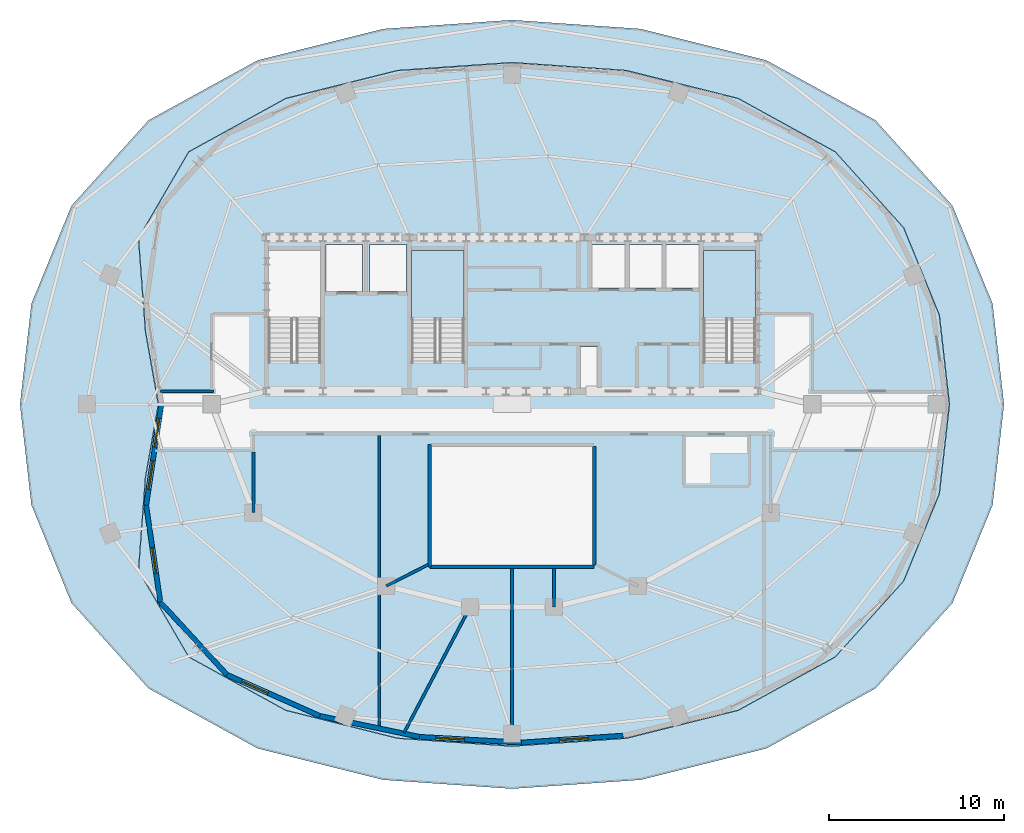
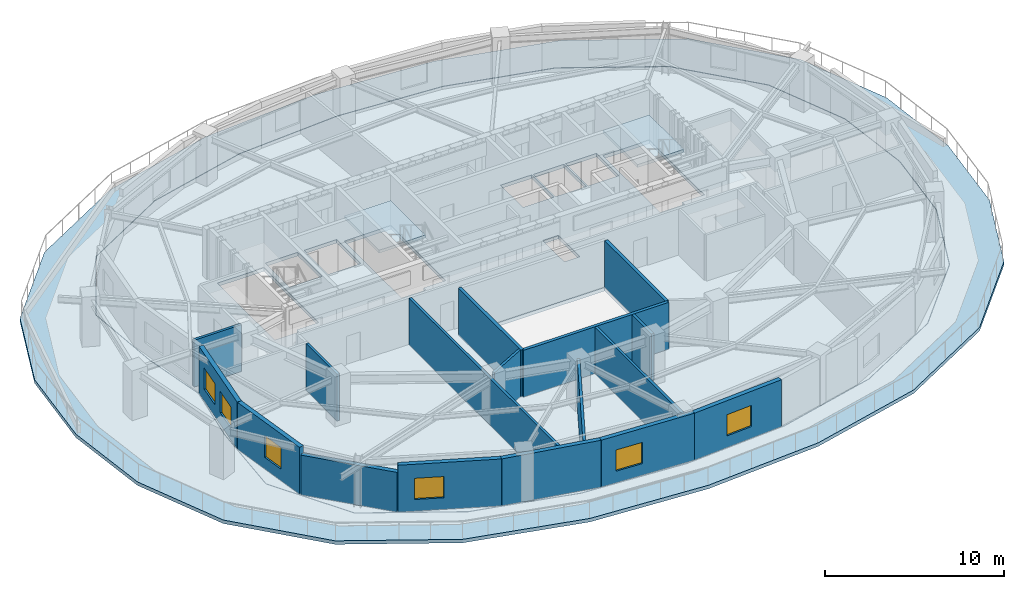
# One storey, part 3 of 10: 17 walls, 6 windows, 4 slabs, 6 openings, 2 elements without a shape of their own.
"""IFC4 building model written with IfcOpenShell, lengths in metres."""

from ifc_helpers import new_model, si_unit, direction, frame, frame_2d, origin, place, context, subcontext, project, spatial, polyline, rectangle, outline, extrude, material, layer, layer_set, type_object, element, fill, aggregate, save


model = new_model("IFC4")

# Units and contexts
model_context = context("Model", 3, precision=1e-05, world=origin(), true_north=direction((0.0, 1.0)))
body_context = subcontext(model_context, "Body", "Model", "MODEL_VIEW")
ifc_project = project(units=[si_unit("LENGTHUNIT", "METRE"), si_unit("AREAUNIT", "SQUARE_METRE"), si_unit("VOLUMEUNIT", "CUBIC_METRE"), si_unit("PLANEANGLEUNIT", "RADIAN"), si_unit("MASSUNIT", "GRAM", prefix="KILO")], contexts=[model_context])

# Site, building, storey
site_placement = place(None, origin())
site = spatial("IfcSite", under=ifc_project, at=site_placement, CompositionType="ELEMENT")
building_placement = place(site_placement, origin())
building = spatial("IfcBuilding", under=site, at=building_placement, Name="Haldorwick Loom Tower", CompositionType="ELEMENT")
storey_placement = place(building_placement, frame((0.0, 0.0, 240.89990234375)))
storey = spatial("IfcBuildingStorey", under=building, at=storey_placement, Name="L65", CompositionType="ELEMENT", Elevation=240.89990234375)

# Stair, slab
ifc_material_1 = material(Name="Concrete C40 (40 MPa)", Category="concrete")
stair_type = type_object("IfcStairType", Name="STR-STR-CORE", PredefinedType="HALF_TURN_STAIR", material=ifc_material_1)
stair_1_placement = place(storey_placement, origin())
stair_1 = element("IfcStair", 1, at=stair_1_placement, inside=storey, type_object=stair_type, Name="L65 Exit Stair ST-02", PredefinedType="HALF_TURN_STAIR")
ifc_layer_1 = layer(ifc_material_1, 0.199951171875, Name="Concrete C40 (40 MPa)", Category="concrete")
ifc_layer_set_1 = layer_set([ifc_layer_1], Name="Concrete C40 (40 MPa)")
slab_type_1 = type_object("IfcSlabType", Name="STR-SLB-LAND200", PredefinedType="LANDING", material=ifc_layer_set_1)
slab_1_placement = place(storey_placement, frame((0.0, 0.0, 1.525146484375)))
slab_1 = element("IfcSlab", 2, at=slab_1_placement, type_object=slab_type_1, Name="ST-02 landing 1", PredefinedType="LANDING", context=body_context, shape_type="SweptSolid", body=[
    extrude(outline(polyline([(49.949951171875, 30.919921875), (49.949951171875, 34.800048828125), (46.949951171875, 34.800048828125), (46.949951171875, 30.919921875), (49.949951171875, 30.919921875)])), origin(), (0.0, 0.0, 1.0), 0.199951171875),
])
aggregate(stair_1, [slab_1])

stair_2_placement = place(storey_placement, origin())
stair_2 = element("IfcStair", 3, at=stair_2_placement, inside=storey, type_object=stair_type, Name="L65 Exit Stair ST-03", PredefinedType="HALF_TURN_STAIR")
slab_2_placement = place(storey_placement, frame((0.0, 0.0, 1.525146484375)))
slab_2 = element("IfcSlab", 4, at=slab_2_placement, type_object=slab_type_1, Name="ST-03 landing 1", PredefinedType="LANDING", context=body_context, shape_type="SweptSolid", body=[
    extrude(outline(polyline([(33.25, 30.919921875), (33.25, 34.800048828125), (30.25, 34.800048828125), (30.25, 30.919921875), (33.25, 30.919921875)])), origin(), (0.0, 0.0, 1.0), 0.199951171875),
])
aggregate(stair_2, [slab_2])

# Slabs
ifc_layer_2 = layer(ifc_material_1, 0.239990234375, Name="Concrete C40 (40 MPa)", Category="concrete")
ifc_layer_set_2 = layer_set([ifc_layer_2], Name="Concrete C40 (40 MPa)")
slab_type_2 = type_object("IfcSlabType", Name="STR-SLB-RES240", PredefinedType="FLOOR", material=ifc_layer_set_2)
slab_3_placement = place(storey_placement, frame((0.0, 0.0, -0.239990234375)))
element("IfcSlab", 5, at=slab_3_placement, inside=storey, type_object=slab_type_2, Name="L65 Residential Structural Floor Slab", PredefinedType="FLOOR", context=body_context, shape_type="SweptSolid", body=[
    extrude(outline(polyline([(54.500244140625, 11.546630859375), (58.4140625, 15.889892578125), (60.455810546875, 20.880615234375), (61.036865234375, 26.0), (60.455810546875, 31.119384765625), (58.4140625, 36.110107421875), (54.500244140625, 40.453369140625), (48.94091796875, 43.510986328125), (42.552978515625, 45.10595703125), (36.0, 45.56005859375), (29.447021484375, 45.10595703125), (23.05908203125, 43.510986328125), (17.499755859375, 40.453369140625), (14.625, 35.510009765625), (15.021484375, 30.187744140625), (15.76318359375, 26.0), (15.021484375, 21.812255859375), (14.625, 16.489990234375), (17.499755859375, 11.546630859375), (23.05908203125, 8.489013671875), (29.447021484375, 6.89404296875), (36.0, 6.43994140625), (42.552978515625, 6.89404296875), (48.94091796875, 8.489013671875), (54.500244140625, 11.546630859375)]), holes=[polyline([(31.39990234375, 16.800048828125), (31.39990234375, 23.60009765625), (40.60009765625, 23.60009765625), (40.60009765625, 16.800048828125), (31.39990234375, 16.800048828125)]), polyline([(40.89990234375, 26.89990234375), (39.89990234375, 26.89990234375), (39.89990234375, 29.300048828125), (40.89990234375, 29.300048828125), (40.89990234375, 26.89990234375)]), polyline([(23.6201171875, 28.39990234375), (22.050048828125, 28.39990234375), (22.050048828125, 34.800048828125), (25.050048828125, 34.800048828125), (25.050048828125, 28.639892578125), (23.6201171875, 28.639892578125), (23.6201171875, 28.39990234375)]), polyline([(30.25, 28.39990234375), (30.25, 34.800048828125), (33.25, 34.800048828125), (33.25, 28.639892578125), (31.820068359375, 28.639892578125), (31.820068359375, 28.39990234375), (30.25, 28.39990234375)]), polyline([(46.949951171875, 28.39990234375), (46.949951171875, 34.800048828125), (49.949951171875, 34.800048828125), (49.949951171875, 28.639892578125), (48.52001953125, 28.639892578125), (48.52001953125, 28.39990234375), (46.949951171875, 28.39990234375)]), polyline([(27.449951171875, 32.449951171875), (25.35009765625, 32.449951171875), (25.35009765625, 35.14990234375), (27.449951171875, 35.14990234375), (27.449951171875, 32.449951171875)]), polyline([(29.949951171875, 32.449951171875), (27.85009765625, 32.449951171875), (27.85009765625, 35.14990234375), (29.949951171875, 35.14990234375), (29.949951171875, 32.449951171875)]), polyline([(42.550048828125, 32.64990234375), (40.550048828125, 32.64990234375), (40.550048828125, 35.14990234375), (42.550048828125, 35.14990234375), (42.550048828125, 32.64990234375)]), polyline([(42.64990234375, 32.64990234375), (42.64990234375, 35.14990234375), (44.64990234375, 35.14990234375), (44.64990234375, 32.64990234375), (42.64990234375, 32.64990234375)]), polyline([(44.75, 32.64990234375), (44.75, 35.14990234375), (46.75, 35.14990234375), (46.75, 32.64990234375), (44.75, 32.64990234375)])]), origin(), (0.0, 0.0, 1.0), 0.239990234375),
])
ifc_layer_3 = layer(ifc_material_1, 0.280029296875, Name="Concrete C40 (40 MPa)", Category="concrete")
ifc_layer_set_3 = layer_set([ifc_layer_3], Name="Concrete C40 (40 MPa)")
slab_type_3 = type_object("IfcSlabType", Name="STR-SLB-TERR280", PredefinedType="FLOOR", material=ifc_layer_set_3)
slab_4_placement = place(storey_placement, frame((0.0, 0.0, -0.239990234375)))
element("IfcSlab", 6, at=slab_4_placement, inside=storey, type_object=slab_type_3, Name="L65 Planted Setback Terrace Slab 1", PredefinedType="FLOOR", context=body_context, shape_type="SweptSolid", body=[
    extrude(outline(polyline([(64.166015625, 25.997802734375), (64.166259765625, 26.0), (64.166015625, 26.002197265625), (63.512939453125, 31.756591796875), (63.5126953125, 31.758544921875), (63.51220703125, 31.76025390625), (63.51171875, 31.761962890625), (61.21728515625, 37.37060546875), (61.216552734375, 37.3720703125), (61.215576171875, 37.37353515625), (61.214599609375, 37.375), (61.213623046875, 37.37646484375), (56.81494140625, 42.25732421875), (56.8134765625, 42.259033203125), (56.8115234375, 42.26025390625), (56.809814453125, 42.261474609375), (50.560791015625, 45.698486328125), (50.55908203125, 45.699462890625), (50.5576171875, 45.699951171875), (50.555908203125, 45.700439453125), (43.373779296875, 47.493896484375), (43.3720703125, 47.494140625), (43.3701171875, 47.494384765625), (36.00146484375, 48.0048828125), (35.99853515625, 48.0048828125), (28.6298828125, 47.494384765625), (28.6279296875, 47.494140625), (28.626220703125, 47.493896484375), (21.444091796875, 45.700439453125), (21.4423828125, 45.699951171875), (21.44091796875, 45.699462890625), (21.439208984375, 45.698486328125), (15.190185546875, 42.261474609375), (15.1884765625, 42.26025390625), (15.1865234375, 42.259033203125), (15.18505859375, 42.25732421875), (10.786376953125, 37.37646484375), (10.785400390625, 37.375), (10.784423828125, 37.37353515625), (10.783447265625, 37.3720703125), (10.78271484375, 37.37060546875), (8.48828125, 31.761962890625), (8.48779296875, 31.76025390625), (8.4873046875, 31.758544921875), (8.487060546875, 31.756591796875), (7.833984375, 26.002197265625), (7.833740234375, 26.0), (7.833984375, 25.997802734375), (8.487060546875, 20.243408203125), (8.4873046875, 20.241455078125), (8.48779296875, 20.23974609375), (8.48828125, 20.238037109375), (10.78271484375, 14.62939453125), (10.783447265625, 14.6279296875), (10.784423828125, 14.62646484375), (10.785400390625, 14.625), (10.786376953125, 14.62353515625), (15.18505859375, 9.74267578125), (15.1865234375, 9.740966796875), (15.1884765625, 9.73974609375), (15.190185546875, 9.738525390625), (21.439208984375, 6.301513671875), (21.44091796875, 6.300537109375), (21.4423828125, 6.300048828125), (21.444091796875, 6.299560546875), (28.626220703125, 4.506103515625), (28.6279296875, 4.505859375), (28.6298828125, 4.505615234375), (35.99853515625, 3.9951171875), (36.00146484375, 3.9951171875), (43.3701171875, 4.505615234375), (43.3720703125, 4.505859375), (43.373779296875, 4.506103515625), (50.555908203125, 6.299560546875), (50.5576171875, 6.300048828125), (50.55908203125, 6.300537109375), (50.560791015625, 6.301513671875), (56.809814453125, 9.738525390625), (56.8115234375, 9.73974609375), (56.8134765625, 9.740966796875), (56.81494140625, 9.74267578125), (61.213623046875, 14.62353515625), (61.214599609375, 14.625), (61.215576171875, 14.62646484375), (61.216552734375, 14.6279296875), (61.21728515625, 14.62939453125), (63.51171875, 20.238037109375), (63.51220703125, 20.23974609375), (63.5126953125, 20.241455078125), (63.512939453125, 20.243408203125), (64.166015625, 25.997802734375)]), holes=[polyline([(61.0517578125, 25.99853515625), (61.0517578125, 25.998046875), (60.470703125, 20.879150390625), (60.470703125, 20.878662109375), (60.470458984375, 20.8779296875), (60.47021484375, 20.877197265625), (60.47021484375, 20.876708984375), (60.469970703125, 20.875732421875), (60.4697265625, 20.875), (60.469482421875, 20.874755859375), (58.427978515625, 15.884521484375), (58.427978515625, 15.884033203125), (58.427490234375, 15.883544921875), (58.42724609375, 15.8828125), (58.427001953125, 15.88232421875), (58.426513671875, 15.881591796875), (58.42626953125, 15.88134765625), (58.42578125, 15.880615234375), (58.42529296875, 15.880126953125), (58.425048828125, 15.8798828125), (54.511474609375, 11.536865234375), (54.510986328125, 11.53662109375), (54.510498046875, 11.535888671875), (54.509765625, 11.53515625), (54.50927734375, 11.534912109375), (54.50830078125, 11.5341796875), (54.5078125, 11.53369140625), (54.507080078125, 11.533447265625), (48.9482421875, 8.47607421875), (48.94775390625, 8.475830078125), (48.947265625, 8.4755859375), (48.946533203125, 8.47509765625), (48.946044921875, 8.47509765625), (48.9453125, 8.474609375), (48.944580078125, 8.474609375), (48.944091796875, 8.474365234375), (42.556640625, 6.87939453125), (42.556396484375, 6.87939453125), (42.5556640625, 6.87939453125), (42.5546875, 6.879150390625), (42.55419921875, 6.879150390625), (42.5537109375, 6.87890625), (36.00146484375, 6.425048828125), (36.000732421875, 6.425048828125), (35.999267578125, 6.425048828125), (35.99853515625, 6.425048828125), (29.4462890625, 6.87890625), (29.44580078125, 6.879150390625), (29.4453125, 6.879150390625), (29.4443359375, 6.87939453125), (29.443603515625, 6.87939453125), (29.443359375, 6.87939453125), (23.055908203125, 8.474365234375), (23.055419921875, 8.474609375), (23.0546875, 8.474609375), (23.053955078125, 8.47509765625), (23.053466796875, 8.47509765625), (23.052734375, 8.4755859375), (23.05224609375, 8.475830078125), (23.0517578125, 8.47607421875), (17.492919921875, 11.533447265625), (17.492431640625, 11.53369140625), (17.49169921875, 11.533935546875), (17.4912109375, 11.534423828125), (17.49072265625, 11.534912109375), (17.489990234375, 11.535400390625), (17.48974609375, 11.53564453125), (17.489013671875, 11.536376953125), (17.48876953125, 11.53662109375), (17.488037109375, 11.537353515625), (17.48779296875, 11.53759765625), (17.4873046875, 11.538330078125), (17.487060546875, 11.5390625), (17.48681640625, 11.539306640625), (14.6123046875, 16.482177734375), (14.612060546875, 16.482666015625), (14.61181640625, 16.4833984375), (14.611328125, 16.484375), (14.611083984375, 16.484619140625), (14.61083984375, 16.485595703125), (14.610595703125, 16.486083984375), (14.6103515625, 16.487060546875), (14.6103515625, 16.487548828125), (14.610107421875, 16.488525390625), (14.610107421875, 16.489013671875), (14.610107421875, 16.489990234375), (14.610107421875, 16.490966796875), (14.610107421875, 16.491455078125), (15.006591796875, 21.813232421875), (15.006591796875, 21.813720703125), (15.0068359375, 21.814697265625), (15.0068359375, 21.815185546875), (15.747314453125, 25.99658203125), (15.74755859375, 25.998291015625), (15.747802734375, 26.0), (15.74755859375, 26.001708984375), (15.747314453125, 26.00341796875), (15.0068359375, 30.184814453125), (15.0068359375, 30.185302734375), (15.006591796875, 30.186279296875), (15.006591796875, 30.186767578125), (14.610107421875, 35.508544921875), (14.610107421875, 35.509033203125), (14.610107421875, 35.510009765625), (14.610107421875, 35.510986328125), (14.610107421875, 35.511474609375), (14.6103515625, 35.512451171875), (14.6103515625, 35.512939453125), (14.610595703125, 35.513916015625), (14.61083984375, 35.514404296875), (14.611083984375, 35.515380859375), (14.611328125, 35.515625), (14.61181640625, 35.5166015625), (14.612060546875, 35.517333984375), (14.6123046875, 35.517822265625), (17.48681640625, 40.460693359375), (17.487060546875, 40.4609375), (17.4873046875, 40.461669921875), (17.48779296875, 40.46240234375), (17.488037109375, 40.462646484375), (17.48876953125, 40.46337890625), (17.489013671875, 40.463623046875), (17.48974609375, 40.46435546875), (17.489990234375, 40.464599609375), (17.49072265625, 40.465087890625), (17.4912109375, 40.465576171875), (17.49169921875, 40.466064453125), (17.492431640625, 40.46630859375), (17.492919921875, 40.466552734375), (23.0517578125, 43.52392578125), (23.05224609375, 43.524169921875), (23.052734375, 43.5244140625), (23.053466796875, 43.52490234375), (23.053955078125, 43.52490234375), (23.0546875, 43.525390625), (23.055419921875, 43.525390625), (23.055908203125, 43.525634765625), (29.443359375, 45.12060546875), (29.443603515625, 45.12060546875), (29.4443359375, 45.12060546875), (29.4453125, 45.120849609375), (29.44580078125, 45.120849609375), (29.4462890625, 45.12109375), (35.99853515625, 45.574951171875), (35.999267578125, 45.574951171875), (36.000732421875, 45.574951171875), (36.00146484375, 45.574951171875), (42.5537109375, 45.12109375), (42.55419921875, 45.120849609375), (42.5546875, 45.120849609375), (42.5556640625, 45.12060546875), (42.556396484375, 45.12060546875), (42.556640625, 45.12060546875), (48.944091796875, 43.525634765625), (48.944580078125, 43.525390625), (48.9453125, 43.525390625), (48.946044921875, 43.52490234375), (48.946533203125, 43.52490234375), (48.947265625, 43.5244140625), (48.94775390625, 43.524169921875), (48.9482421875, 43.52392578125), (54.507080078125, 40.466552734375), (54.5078125, 40.46630859375), (54.50830078125, 40.4658203125), (54.50927734375, 40.465087890625), (54.509765625, 40.46484375), (54.510498046875, 40.464111328125), (54.510986328125, 40.46337890625), (54.511474609375, 40.463134765625), (58.425048828125, 36.1201171875), (58.42529296875, 36.119873046875), (58.42578125, 36.119384765625), (58.42626953125, 36.11865234375), (58.426513671875, 36.118408203125), (58.427001953125, 36.11767578125), (58.42724609375, 36.1171875), (58.427490234375, 36.116455078125), (58.427978515625, 36.115966796875), (58.427978515625, 36.115478515625), (60.469482421875, 31.125244140625), (60.4697265625, 31.125), (60.469970703125, 31.124267578125), (60.47021484375, 31.123291015625), (60.47021484375, 31.122802734375), (60.470458984375, 31.1220703125), (60.470703125, 31.121337890625), (60.470703125, 31.120849609375), (61.0517578125, 26.001953125), (61.0517578125, 26.00146484375), (61.0517578125, 26.00048828125), (61.0517578125, 25.99951171875), (61.0517578125, 25.99853515625)])]), origin(), (0.0, 0.0, 1.0), 0.239990234375),
])

# Wall, openings, windows
ifc_material_2 = material(Name="Pressed Clay Face Brick and Insulated Masonry Backup Assembly", Category="masonry")
ifc_layer_4 = layer(ifc_material_2, 0.280029296875, Name="Pressed Clay Face Brick and Insulated Masonry Backup Assembly", Category="masonry")
ifc_layer_set_4 = layer_set([ifc_layer_4], Name="Pressed Clay Face Brick and Insulated Masonry Backup Assembly")
wall_type_1 = type_object("IfcWallType", Name="ARC-WL-EXT280", PredefinedType="STANDARD", material=ifc_layer_set_4)
wall_1_placement = place(storey_placement, frame((15.923095703125, 26.0, 0.0), z_axis=(0.0, 0.0, 1.0), x_axis=(-0.148687742187, -0.988884197125, 0.0)))
wall_1 = element("IfcWall", 7, at=wall_1_placement, inside=storey, type_object=wall_type_1, Name="L65 Brick Pier and Spandrel Wall 13", PredefinedType="STANDARD", context=body_context, shape_type="SweptSolid", body=[
    extrude(rectangle(XDim=5.84375, YDim=0.280029296875, at=frame_2d((2.921875, 0.0))), origin(), (0.0, 0.0, 1.0), 3.210205078125),
])
opening_1_placement = place(wall_1_placement, frame((0.81640625, 0.0, 0.800048828125)))
opening_1 = element("IfcOpeningElement", 8, at=opening_1_placement, cuts=wall_1, Name="Opening W-01B", PredefinedType="OPENING", context=body_context, shape_type="SweptSolid", body=[
    extrude(rectangle(XDim=1.64990234375, YDim=1.449951171875, at=frame_2d((0.824951171875, 0.72509765625))), frame((0.0, 0.14990234375, 0.0), z_axis=(0.0, -1.0, 0.0), x_axis=(1.0, 0.0, 0.0)), (0.0, 0.0, 1.0), 0.300048828125),
])
opening_2_placement = place(wall_1_placement, frame((3.265625, 0.0, 0.800048828125)))
opening_2 = element("IfcOpeningElement", 9, at=opening_2_placement, cuts=wall_1, Name="Opening W-01B", PredefinedType="OPENING", context=body_context, shape_type="SweptSolid", body=[
    extrude(rectangle(XDim=1.64990234375, YDim=1.449951171875, at=frame_2d((0.824951171875, 0.72509765625))), frame((0.0, 0.14990234375, 0.0), z_axis=(0.0, -1.0, 0.0), x_axis=(1.0, 0.0, 0.0)), (0.0, 0.0, 1.0), 0.300048828125),
])
ifc_material_3 = material(Name="Triple-Glazed Low-E Argon Insulated Glazing Unit", Category="glass")
window_type_1 = type_object("IfcWindowType", Name="ARC-WIN-W165", PartitioningType="SINGLE_PANEL", PredefinedType="WINDOW", material=ifc_material_3)
window_1_placement = place(opening_1_placement, origin())
window_1 = element("IfcWindow", 10, at=window_1_placement, inside=storey, type_object=window_type_1, Name="L65 Deep-Set Zone 7A Window 13", OverallHeight=1.449951171875, OverallWidth=1.64990234375, PartitioningType="SINGLE_PANEL", PredefinedType="WINDOW", context=body_context, shape_type="SweptSolid", body=[
    extrude(rectangle(XDim=1.64990234375, YDim=1.449951171875, at=frame_2d((0.824951171875, 0.72509765625))), frame((0.0, 0.030029296875, 0.0), z_axis=(0.0, -1.0, 0.0), x_axis=(1.0, 0.0, 0.0)), (0.0, 0.0, 1.0), 0.06005859375),
])
fill(opening_1, window_1)
window_2_placement = place(opening_2_placement, origin())
window_2 = element("IfcWindow", 11, at=window_2_placement, inside=storey, type_object=window_type_1, Name="L65 Deep-Set Zone 7A Window 13", OverallHeight=1.449951171875, OverallWidth=1.64990234375, PartitioningType="SINGLE_PANEL", PredefinedType="WINDOW", context=body_context, shape_type="SweptSolid", body=[
    extrude(rectangle(XDim=1.64990234375, YDim=1.449951171875, at=frame_2d((0.824951171875, 0.72509765625))), frame((0.0, 0.030029296875, 0.0), z_axis=(0.0, -1.0, 0.0), x_axis=(1.0, 0.0, 0.0)), (0.0, 0.0, 1.0), 0.06005859375),
])
fill(opening_2, window_2)

# Wall, opening, window
wall_2_placement = place(storey_placement, frame((15.05419921875, 20.22119140625, 0.0), z_axis=(0.0, 0.0, 1.0), x_axis=(0.144901068492, -0.989446148282, 0.0)))
wall_2 = element("IfcWall", 12, at=wall_2_placement, inside=storey, type_object=wall_type_1, Name="L65 Brick Pier and Spandrel Wall 14", PredefinedType="STANDARD", context=body_context, shape_type="SweptSolid", body=[
    extrude(rectangle(XDim=5.607177734375, YDim=0.280029296875, at=frame_2d((2.8037109375, 0.0))), origin(), (0.0, 0.0, 1.0), 3.210205078125),
])
opening_3_placement = place(wall_2_placement, frame((2.4443359375, 0.0, 0.800048828125)))
opening_3 = element("IfcOpeningElement", 13, at=opening_3_placement, cuts=wall_2, Name="Opening W-02", PredefinedType="OPENING", context=body_context, shape_type="SweptSolid", body=[
    extrude(rectangle(XDim=1.5, YDim=1.47998046875, at=frame_2d((0.75, 0.739990234375))), frame((0.0, 0.14990234375, 0.0), z_axis=(0.0, -1.0, 0.0), x_axis=(1.0, 0.0, 0.0)), (0.0, 0.0, 1.0), 0.300048828125),
])
window_type_2 = type_object("IfcWindowType", Name="ARC-WIN-W150", PartitioningType="SINGLE_PANEL", PredefinedType="WINDOW", material=ifc_material_3)
window_3_placement = place(opening_3_placement, origin())
window_3 = element("IfcWindow", 14, at=window_3_placement, inside=storey, type_object=window_type_2, Name="L65 Deep-Set Zone 7A Window 14", OverallHeight=1.47998046875, OverallWidth=1.5, PartitioningType="SINGLE_PANEL", PredefinedType="WINDOW", context=body_context, shape_type="SweptSolid", body=[
    extrude(rectangle(XDim=1.5, YDim=1.47998046875, at=frame_2d((0.75, 0.739990234375))), frame((0.0, 0.030029296875, 0.0), z_axis=(0.0, -1.0, 0.0), x_axis=(1.0, 0.0, 0.0)), (0.0, 0.0, 1.0), 0.06005859375),
])
fill(opening_3, window_3)

# Wall
wall_3_placement = place(storey_placement, frame((15.86669921875, 14.673095703125, 0.0), z_axis=(0.0, 0.0, 1.0), x_axis=(0.676865404292, -0.736106802355, 0.0)))
element("IfcWall", 15, at=wall_3_placement, inside=storey, type_object=wall_type_1, Name="L65 Brick Pier and Spandrel Wall 15", PredefinedType="STANDARD", context=body_context, shape_type="SweptSolid", body=[
    extrude(rectangle(XDim=5.64599609375, YDim=0.280029296875, at=frame_2d((2.822998046875, 0.0))), origin(), (0.0, 0.0, 1.0), 2.718994140625),
])

# Wall, opening, window
wall_4_placement = place(storey_placement, frame((19.688232421875, 10.51708984375, 0.0), z_axis=(0.0, 0.0, 1.0), x_axis=(0.914119811153, -0.405444164906, 0.0)))
wall_4 = element("IfcWall", 16, at=wall_4_placement, inside=storey, type_object=wall_type_1, Name="L65 Brick Pier and Spandrel Wall 16", PredefinedType="STANDARD", context=body_context, shape_type="SweptSolid", body=[
    extrude(rectangle(XDim=5.808349609375, YDim=0.280029296875, at=frame_2d((2.904296875, 0.0))), origin(), (0.0, 0.0, 1.0), 3.210205078125),
])
opening_4_placement = place(wall_4_placement, frame((0.91748046875, 0.0, 0.800048828125)))
opening_4 = element("IfcOpeningElement", 17, at=opening_4_placement, cuts=wall_4, Name="Opening W-01B", PredefinedType="OPENING", context=body_context, shape_type="SweptSolid", body=[
    extrude(rectangle(XDim=1.64990234375, YDim=1.449951171875, at=frame_2d((0.824951171875, 0.72509765625))), frame((0.0, 0.14990234375, 0.0), z_axis=(0.0, -1.0, 0.0), x_axis=(1.0, 0.0, 0.0)), (0.0, 0.0, 1.0), 0.300048828125),
])
window_4_placement = place(opening_4_placement, origin())
window_4 = element("IfcWindow", 18, at=window_4_placement, inside=storey, type_object=window_type_1, Name="L65 Deep-Set Zone 7A Window 16", OverallHeight=1.449951171875, OverallWidth=1.64990234375, PartitioningType="SINGLE_PANEL", PredefinedType="WINDOW", context=body_context, shape_type="SweptSolid", body=[
    extrude(rectangle(XDim=1.64990234375, YDim=1.449951171875, at=frame_2d((0.824951171875, 0.72509765625))), frame((0.0, 0.030029296875, 0.0), z_axis=(0.0, -1.0, 0.0), x_axis=(1.0, 0.0, 0.0)), (0.0, 0.0, 1.0), 0.06005859375),
])
fill(opening_4, window_4)

# Wall
wall_5_placement = place(storey_placement, frame((24.997802734375, 8.162109375, 0.0), z_axis=(0.0, 0.0, 1.0), x_axis=(0.978668648416, -0.205445069565, 0.0)))
element("IfcWall", 19, at=wall_5_placement, inside=storey, type_object=wall_type_1, Name="L65 Brick Pier and Spandrel Wall 17", PredefinedType="STANDARD", context=body_context, shape_type="SweptSolid", body=[
    extrude(rectangle(XDim=5.83251953125, YDim=0.280029296875, at=frame_2d((2.916259765625, 0.0))), origin(), (0.0, 0.0, 1.0), 3.210205078125),
])

# Wall, opening, window
wall_6_placement = place(storey_placement, frame((30.705810546875, 6.9638671875, 0.0), z_axis=(0.0, 0.0, 1.0), x_axis=(0.998436201135, -0.055903061306, 0.0)))
wall_6 = element("IfcWall", 20, at=wall_6_placement, inside=storey, type_object=wall_type_1, Name="L65 Brick Pier and Spandrel Wall 18", PredefinedType="STANDARD", context=body_context, shape_type="SweptSolid", body=[
    extrude(rectangle(XDim=5.8388671875, YDim=0.280029296875, at=frame_2d((2.91943359375, 0.0))), origin(), (0.0, 0.0, 1.0), 3.210205078125),
])
opening_5_placement = place(wall_6_placement, frame((0.9267578125, 0.0, 0.800048828125)))
opening_5 = element("IfcOpeningElement", 21, at=opening_5_placement, cuts=wall_6, Name="Opening W-01B", PredefinedType="OPENING", context=body_context, shape_type="SweptSolid", body=[
    extrude(rectangle(XDim=1.64990234375, YDim=1.449951171875, at=frame_2d((0.824951171875, 0.72509765625))), frame((0.0, 0.14990234375, 0.0), z_axis=(0.0, -1.0, 0.0), x_axis=(1.0, 0.0, 0.0)), (0.0, 0.0, 1.0), 0.300048828125),
])
window_5_placement = place(opening_5_placement, origin())
window_5 = element("IfcWindow", 22, at=window_5_placement, inside=storey, type_object=window_type_1, Name="L65 Deep-Set Zone 7A Window 18", OverallHeight=1.449951171875, OverallWidth=1.64990234375, PartitioningType="SINGLE_PANEL", PredefinedType="WINDOW", context=body_context, shape_type="SweptSolid", body=[
    extrude(rectangle(XDim=1.64990234375, YDim=1.449951171875, at=frame_2d((0.824951171875, 0.72509765625))), frame((0.0, 0.030029296875, 0.0), z_axis=(0.0, -1.0, 0.0), x_axis=(1.0, 0.0, 0.0)), (0.0, 0.0, 1.0), 0.06005859375),
])
fill(opening_5, window_5)

wall_7_placement = place(storey_placement, frame((36.53564453125, 6.637451171875, 0.0), z_axis=(0.0, 0.0, 1.0), x_axis=(0.997667556144, 0.068260145161, 0.0)))
wall_7 = element("IfcWall", 23, at=wall_7_placement, inside=storey, type_object=wall_type_1, Name="L65 Brick Pier and Spandrel Wall 19", PredefinedType="STANDARD", context=body_context, shape_type="SweptSolid", body=[
    extrude(rectangle(XDim=5.84423828125, YDim=0.280029296875, at=frame_2d((2.922119140625, 0.0))), origin(), (0.0, 0.0, 1.0), 3.210205078125),
])
opening_6_placement = place(wall_7_placement, frame((2.1865234375, 0.0, 0.800048828125)))
opening_6 = element("IfcOpeningElement", 24, at=opening_6_placement, cuts=wall_7, Name="Opening W-01B", PredefinedType="OPENING", context=body_context, shape_type="SweptSolid", body=[
    extrude(rectangle(XDim=1.64990234375, YDim=1.449951171875, at=frame_2d((0.824951171875, 0.72509765625))), frame((0.0, 0.14990234375, 0.0), z_axis=(0.0, -1.0, 0.0), x_axis=(1.0, 0.0, 0.0)), (0.0, 0.0, 1.0), 0.300048828125),
])
window_6_placement = place(opening_6_placement, origin())
window_6 = element("IfcWindow", 25, at=window_6_placement, inside=storey, type_object=window_type_1, Name="L65 Deep-Set Zone 7A Window 19", OverallHeight=1.449951171875, OverallWidth=1.64990234375, PartitioningType="SINGLE_PANEL", PredefinedType="WINDOW", context=body_context, shape_type="SweptSolid", body=[
    extrude(rectangle(XDim=1.64990234375, YDim=1.449951171875, at=frame_2d((0.824951171875, 0.72509765625))), frame((0.0, 0.030029296875, 0.0), z_axis=(0.0, -1.0, 0.0), x_axis=(1.0, 0.0, 0.0)), (0.0, 0.0, 1.0), 0.06005859375),
])
fill(opening_6, window_6)

# Walls
ifc_material_4 = material(Name="Fire-Rated Type X Gypsum Stud Assembly EI 60")
ifc_layer_5 = layer(ifc_material_4, 0.159912109375, Name="Fire-Rated Type X Gypsum Stud Assembly EI 60")
ifc_layer_set_5 = layer_set([ifc_layer_5], Name="Fire-Rated Type X Gypsum Stud Assembly EI 60")
wall_type_2 = type_object("IfcWallType", Name="ARC-WL-FIRE160", PredefinedType="PARTITIONING", material=ifc_layer_set_5)
wall_8_placement = place(storey_placement, frame((15.85595703125, 26.75, 0.0), z_axis=(0.0, 0.0, 1.0), x_axis=(1.0, 0.0, 0.0)))
element("IfcWall", 26, at=wall_8_placement, inside=storey, type_object=wall_type_2, Name="L65 Residential Fire Partition L65-CR-NWL", PredefinedType="PARTITIONING", context=body_context, shape_type="SweptSolid", body=[
    extrude(rectangle(XDim=3.0439453125, YDim=0.159912109375, at=frame_2d((1.52197265625, 0.0))), origin(), (0.0, 0.0, 1.0), 3.195068359375),
])
wall_9_placement = place(storey_placement, frame((33.60009765625, 14.39990234375, 0.0), z_axis=(0.0, 0.0, 1.0), x_axis=(-0.464676278974, -0.885480635451, 0.0)))
element("IfcWall", 27, at=wall_9_placement, inside=storey, type_object=wall_type_2, Name="L65 Residential Fire Partition L65-ICR-05", PredefinedType="PARTITIONING", context=body_context, shape_type="SweptSolid", body=[
    extrude(rectangle(XDim=8.1357421875, YDim=0.159912109375, at=frame_2d((4.06787109375, 0.0))), origin(), (0.0, 0.0, 1.0), 3.195068359375),
])
wall_10_placement = place(storey_placement, frame((28.39990234375, 7.493896484375, 0.0), z_axis=(0.0, 0.0, 1.0), x_axis=(0.0, 1.0, 0.0)))
element("IfcWall", 28, at=wall_10_placement, inside=storey, type_object=wall_type_2, Name="L65 Residential Fire Partition L65-SBP-0", PredefinedType="PARTITIONING", context=body_context, shape_type="SweptSolid", body=[
    extrude(rectangle(XDim=16.72314453125, YDim=0.159912109375, at=frame_2d((8.361572265625, 0.0))), origin(), (0.0, 0.0, 1.0), 3.195068359375),
])
wall_11_placement = place(storey_placement, frame((36.0, 6.71240234375, 0.0), z_axis=(0.0, 0.0, 1.0), x_axis=(0.0, 1.0, 0.0)))
element("IfcWall", 29, at=wall_11_placement, inside=storey, type_object=wall_type_2, Name="L65 Residential Fire Partition L65-SBP-1", PredefinedType="PARTITIONING", context=body_context, shape_type="SweptSolid", body=[
    extrude(rectangle(XDim=9.884521484375, YDim=0.159912109375, at=frame_2d((4.9423828125, 0.0))), origin(), (0.0, 0.0, 1.0), 3.195068359375),
])
wall_12_placement = place(storey_placement, frame((38.39990234375, 16.596923828125, 0.0), z_axis=(0.0, 0.0, 1.0), x_axis=(0.0, -1.0, 0.0)))
element("IfcWall", 30, at=wall_12_placement, inside=storey, type_object=wall_type_2, Name="L65 Residential Fire Partition L65-ICA-03", PredefinedType="PARTITIONING", context=body_context, shape_type="SweptSolid", body=[
    extrude(rectangle(XDim=2.197021484375, YDim=0.159912109375, at=frame_2d((1.0986328125, 0.0))), origin(), (0.0, 0.0, 1.0), 3.195068359375),
])
wall_13_placement = place(storey_placement, frame((31.197021484375, 16.822021484375, 0.0), z_axis=(0.0, 0.0, 1.0), x_axis=(-0.890915506237, -0.454169088278, 0.0)))
element("IfcWall", 31, at=wall_13_placement, inside=storey, type_object=wall_type_2, Name="L65 Residential Fire Partition L65-ICA-06", PredefinedType="PARTITIONING", context=body_context, shape_type="SweptSolid", body=[
    extrude(rectangle(XDim=2.6904296875, YDim=0.159912109375, at=frame_2d((1.34521484375, 0.0))), origin(), (0.0, 0.0, 1.0), 3.195068359375),
])
wall_14_placement = place(storey_placement, frame((21.199951171875, 23.26708984375, 0.0), z_axis=(0.0, 0.0, 1.0), x_axis=(0.0, -1.0, 0.0)))
element("IfcWall", 32, at=wall_14_placement, inside=storey, type_object=wall_type_2, Name="L65 Residential Fire Partition L65-ICA-07", PredefinedType="PARTITIONING", context=body_context, shape_type="SweptSolid", body=[
    extrude(rectangle(XDim=3.467041015625, YDim=0.159912109375, at=frame_2d((1.7333984375, 0.0))), origin(), (0.0, 0.0, 1.0), 3.195068359375),
])
ifc_material_5 = material(Name="Fire-Rated Type X Gypsum Stud Assembly EI 120")
ifc_layer_6 = layer(ifc_material_5, 0.199951171875, Name="Fire-Rated Type X Gypsum Stud Assembly EI 120")
ifc_layer_set_6 = layer_set([ifc_layer_6], Name="Fire-Rated Type X Gypsum Stud Assembly EI 120")
wall_type_3 = type_object("IfcWallType", Name="ARC-WL-FIRE200", PredefinedType="PARTITIONING", material=ifc_layer_set_6)
wall_15_placement = place(storey_placement, frame((40.699951171875, 16.699951171875, 0.0), z_axis=(0.0, 0.0, 1.0), x_axis=(-1.0, 0.0, 0.0)))
element("IfcWall", 33, at=wall_15_placement, inside=storey, type_object=wall_type_3, Name="L65 Atrium Fire Enclosure Wall S", PredefinedType="PARTITIONING", context=body_context, shape_type="SweptSolid", body=[
    extrude(rectangle(XDim=9.39990234375, YDim=0.199951171875, at=frame_2d((4.699951171875, 0.0))), origin(), (0.0, 0.0, 1.0), 3.195068359375),
])
wall_16_placement = place(storey_placement, frame((31.300048828125, 16.699951171875, 0.0), z_axis=(0.0, 0.0, 1.0), x_axis=(0.0, 1.0, 0.0)))
element("IfcWall", 34, at=wall_16_placement, inside=storey, type_object=wall_type_3, Name="L65 Atrium Fire Enclosure Wall W", PredefinedType="PARTITIONING", context=body_context, shape_type="SweptSolid", body=[
    extrude(rectangle(XDim=7.0, YDim=0.199951171875, at=frame_2d((3.5, 0.0))), origin(), (0.0, 0.0, 1.0), 3.195068359375),
])
wall_17_placement = place(storey_placement, frame((40.699951171875, 23.596923828125, 0.0), z_axis=(0.0, 0.0, 1.0), x_axis=(0.0, -1.0, 0.0)))
element("IfcWall", 35, at=wall_17_placement, inside=storey, type_object=wall_type_3, Name="L65 Atrium Fire Enclosure Wall E", PredefinedType="PARTITIONING", context=body_context, shape_type="SweptSolid", body=[
    extrude(rectangle(XDim=6.7939453125, YDim=0.199951171875, at=frame_2d((3.39697265625, 0.0))), origin(), (0.0, 0.0, 1.0), 3.195068359375),
])

save(model, "model.ifc")
